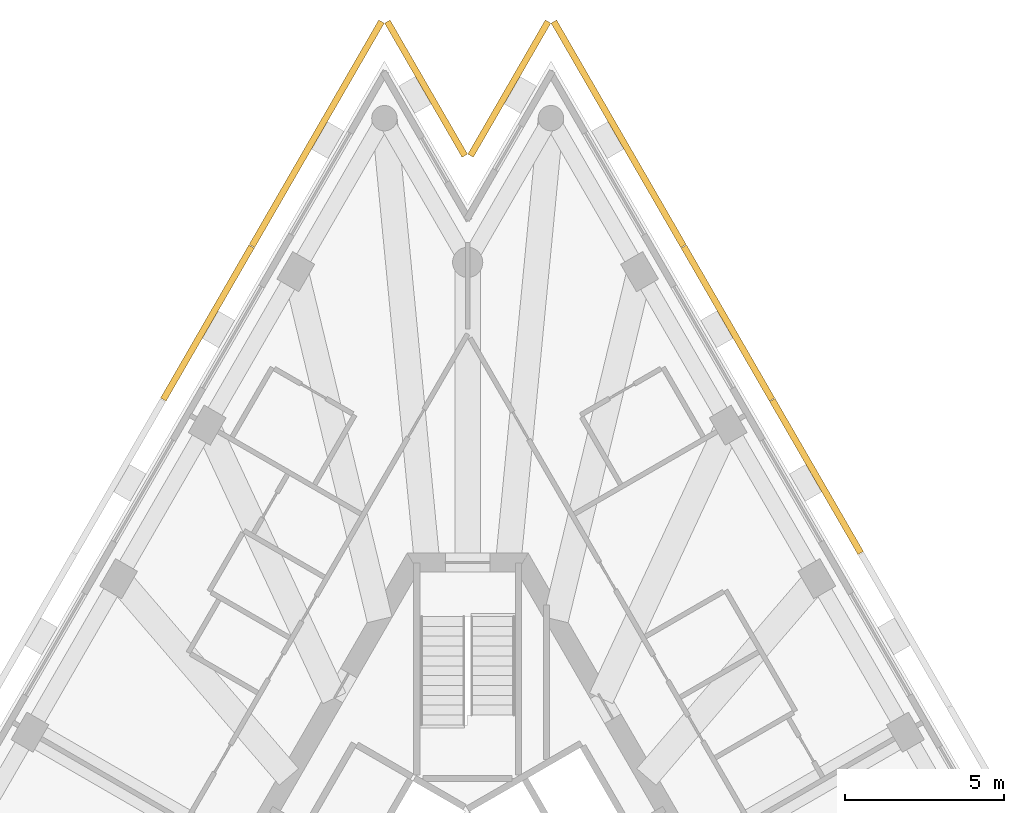
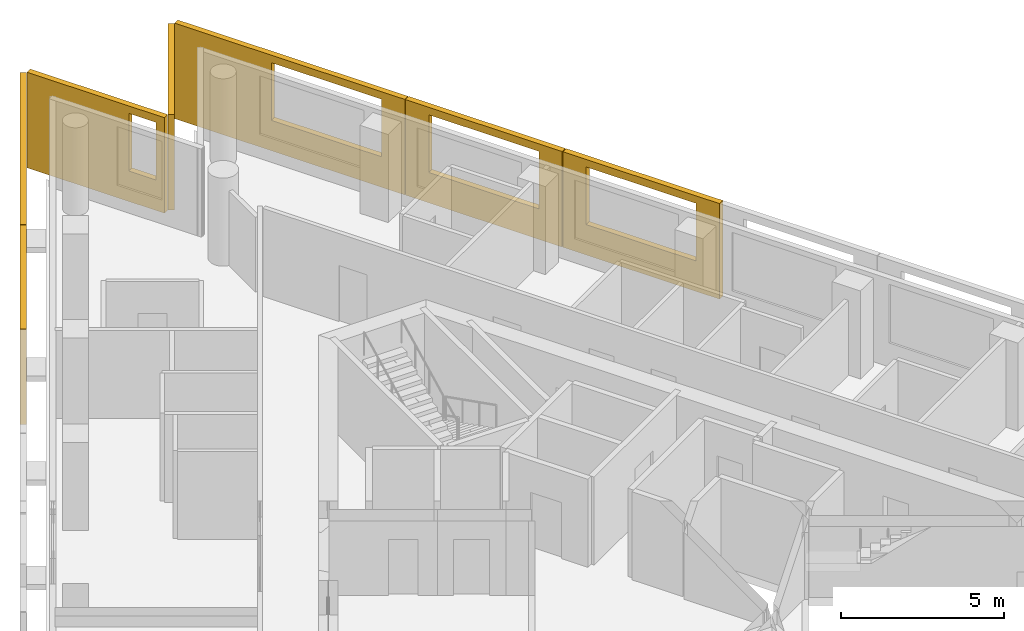
# One storey, part 10 of 10: 7 shading devices.
"""IFC4 building model written with IfcOpenShell, lengths in metres."""

import ifcopenshell
import ifcopenshell.guid

model = None  # the IFC model being written
_history = None  # IfcOwnerHistory: only IFC2X3 demands one
_inside = {}  # id of a spatial element -> (the spatial element, [elements in it])
_under = {}  # id of a project, library or spatial element -> (it, [spatial elements below it])
_declared = {}  # id of a project -> (the project, [libraries it declares])
_typed = {}  # id of a type object -> (the type object, [elements of that type])
_made_of = {}  # id of a material, layer set ... -> (it, [elements and type objects made of it])


def new_model(schema):
    """Start an empty IFC model of exactly this schema.

    Asked for "IFC4X3", IfcOpenShell would pick the latest addendum, in which some entities
    have other attributes; the version numbers below select the first issue.
    IFC2X3 requires an IfcOwnerHistory on every rooted entity: one is made here for all.
    """
    global model, _history
    if schema == "IFC4X3":
        model = ifcopenshell.file(schema_version=(4, 3, 0, 0))
    else:
        model = ifcopenshell.file(schema=schema)
    _inside.clear()
    _under.clear()
    _declared.clear()
    _typed.clear()
    _made_of.clear()
    _history = None
    if model.schema == "IFC2X3":
        org = make("IfcOrganization", Name="unknown")
        user = make(
            "IfcPersonAndOrganization",
            ThePerson=make("IfcPerson", FamilyName="unknown"),
            TheOrganization=org,
        )
        app = make(
            "IfcApplication",
            ApplicationDeveloper=org,
            Version="unknown",
            ApplicationFullName="unknown",
            ApplicationIdentifier="unknown",
        )
        _history = make(
            "IfcOwnerHistory",
            OwningUser=user,
            OwningApplication=app,
            ChangeAction="ADDED",
            CreationDate=0,
        )
    return model


def make(cls, **values):
    """One entity of the class cls with the attributes given. An attribute that is None is left unset."""
    return model.create_entity(
        cls, **{name: value for name, value in values.items() if value is not None}
    )


def rooted(cls, **values):
    """An entity with a GlobalId (a new one), such as an element, a storey or a relation."""
    return make(cls, GlobalId=ifcopenshell.guid.new(), OwnerHistory=_history, **values)


def si_unit(unit_type, name, prefix=None):
    """IfcSIUnit, for example si_unit("LENGTHUNIT", "METRE", prefix="MILLI")."""
    return make("IfcSIUnit", UnitType=unit_type, Prefix=prefix, Name=name)


def assignment(units):
    """IfcUnitAssignment: the units of a project."""
    return None if units is None else make("IfcUnitAssignment", Units=units)


def point(xyz):
    """IfcCartesianPoint."""
    return None if xyz is None else make("IfcCartesianPoint", Coordinates=xyz)


def direction(xyz):
    """IfcDirection."""
    return None if xyz is None else make("IfcDirection", DirectionRatios=xyz)


def frame(location, z_axis=None, x_axis=None):
    """IfcAxis2Placement3D, a coordinate frame: its origin and axes. An axis left out is left unset."""
    return make(
        "IfcAxis2Placement3D",
        Location=point(location),
        Axis=direction(z_axis),
        RefDirection=direction(x_axis),
    )


def origin():
    """The frame at (0, 0, 0) with its axes left unset."""
    return frame((0.0, 0.0, 0.0))


def place(relative_to, where):
    """IfcLocalPlacement: puts the frame where relative to a parent placement (None: the world)."""
    return make(
        "IfcLocalPlacement", PlacementRelTo=relative_to, RelativePlacement=where
    )


def context(
    kind, dimensions, precision=None, world=None, true_north=None, identifier=None
):
    """IfcGeometricRepresentationContext, for example the 3D "Model" context."""
    return make(
        "IfcGeometricRepresentationContext",
        ContextIdentifier=identifier,
        ContextType=kind,
        CoordinateSpaceDimension=dimensions,
        Precision=precision,
        WorldCoordinateSystem=world,
        TrueNorth=true_north,
    )


def subcontext(parent, identifier, kind, view, scale=None):
    """IfcGeometricRepresentationSubContext, for example "Body" below "Model"."""
    return make(
        "IfcGeometricRepresentationSubContext",
        ContextIdentifier=identifier,
        ContextType=kind,
        ParentContext=parent,
        TargetScale=scale,
        TargetView=view,
    )


def project(units=None, contexts=None):
    """IfcProject with its units and contexts."""
    return rooted(
        "IfcProject",
        Name="project",
        RepresentationContexts=contexts,
        UnitsInContext=assignment(units),
    )


def spatial(cls, under=None, at=None, **own):
    """A site, building, storey or space (cls), placed at a placement, below another one or the project."""
    s = rooted(cls, ObjectPlacement=at, **own)
    if under is not None:
        _under.setdefault(under.id(), (under, []))[1].append(s)
    return s


def polyline(points):
    """IfcPolyline through the points."""
    return make("IfcPolyline", Points=[point(p) for p in points])


def outline(outer, holes=None, kind="AREA"):
    """IfcArbitraryClosedProfileDef: a profile drawn as a closed curve; with holes, ...WithVoids."""
    if holes is None:
        return make("IfcArbitraryClosedProfileDef", ProfileType=kind, OuterCurve=outer)
    return make(
        "IfcArbitraryProfileDefWithVoids",
        ProfileType=kind,
        OuterCurve=outer,
        InnerCurves=holes,
    )


def extrude(swept, where, along, depth):
    """IfcExtrudedAreaSolid: the profile swept, set in the frame where, extruded along a direction by depth."""
    return make(
        "IfcExtrudedAreaSolid",
        SweptArea=swept,
        Position=where,
        ExtrudedDirection=direction(along),
        Depth=depth,
    )


def shape(context_of_items, identifier, shape_type, items):
    """IfcShapeRepresentation: the items that make up one representation, for example the "Body"."""
    return make(
        "IfcShapeRepresentation",
        ContextOfItems=context_of_items,
        RepresentationIdentifier=identifier,
        RepresentationType=shape_type,
        Items=items,
    )


def material(Name=None, Category=None):
    """IfcMaterial."""
    return make("IfcMaterial", Name=Name, Category=Category)


def layer(
    of_material, thickness, ventilated=None, Name=None, Category=None, Priority=None
):
    """IfcMaterialLayer: one layer of a wall or slab, of a material (None: an air gap)."""
    return make(
        "IfcMaterialLayer",
        Material=of_material,
        LayerThickness=thickness,
        IsVentilated=ventilated,
        Name=Name,
        Category=Category,
        Priority=Priority,
    )


def layer_set(layers, Name=None):
    """IfcMaterialLayerSet."""
    return make("IfcMaterialLayerSet", MaterialLayers=layers, LayerSetName=Name)


def made_of(thing, what):
    """Note that an element or type object is made of a material, layer set ...; save() writes the relation."""
    if what is not None:
        _made_of.setdefault(what.id(), (what, []))[1].append(thing)
    return thing


def type_object(cls, material=None, **own):
    """A type object (cls), such as IfcWallType, which elements share."""
    return made_of(rooted(cls, **own), material)


def element(
    cls,
    number,
    at=None,
    inside=None,
    cuts=None,
    type_object=None,
    material=None,
    context=None,
    identifier="Body",
    shape_type=None,
    held_by="IfcProductDefinitionShape",
    body=None,
    shapes=None,
    **own,
):
    """One element of the class cls, such as IfcWall. Its Tag is "e" and its number.

    at: its placement. inside: the storey or other place that contains it. cuts: it is an
    opening in that element (IfcRelVoidsElement). A single representation is given by context,
    identifier, shape_type and body (its items); several are given by shapes. held_by: the class
    of the entity that holds the representations. save() writes the other relations.
    """
    e = rooted(cls, Tag="e%d" % number, ObjectPlacement=at, **own)
    if body is not None:
        shapes = [shape(context, identifier, shape_type, body)]
    if shapes is not None:
        e.Representation = make(held_by, Representations=shapes)
    if inside is not None:
        _inside.setdefault(inside.id(), (inside, []))[1].append(e)
    if cuts is not None:
        rooted(
            "IfcRelVoidsElement", RelatingBuildingElement=cuts, RelatedOpeningElement=e
        )
    if type_object is not None:
        _typed.setdefault(type_object.id(), (type_object, []))[1].append(e)
    return made_of(e, material)


def aggregate(whole, parts):
    """IfcRelAggregates: a whole, such as a stair, and the parts it consists of."""
    return rooted("IfcRelAggregates", RelatingObject=whole, RelatedObjects=parts)


def save(model, path):
    """Write the relations noted so far, then the file.

    IfcRelAggregates (storeys below a building ...), IfcRelContainedInSpatialStructure (elements
    in a storey), IfcRelDefinesByType, IfcRelAssociatesMaterial and IfcRelDeclares: one each for
    every whole, place, type object, material and project.
    """
    for whole, parts in _under.values():
        aggregate(whole, parts)
    for where, things in _inside.values():
        rooted(
            "IfcRelContainedInSpatialStructure",
            RelatedElements=things,
            RelatingStructure=where,
        )
    for kind, things in _typed.values():
        rooted("IfcRelDefinesByType", RelatedObjects=things, RelatingType=kind)
    for what, things in _made_of.values():
        rooted("IfcRelAssociatesMaterial", RelatedObjects=things, RelatingMaterial=what)
    for by, libraries in _declared.values():
        rooted("IfcRelDeclares", RelatingContext=by, RelatedDefinitions=libraries)
    model.write(path)


model = new_model("IFC4")

# Units and contexts
model_context = context("Model", 3, precision=1e-05, world=origin(), true_north=direction((0.0, 1.0)))
body_context = subcontext(model_context, "Body", "Model", "MODEL_VIEW")
ifc_project = project(units=[si_unit("LENGTHUNIT", "METRE"), si_unit("AREAUNIT", "SQUARE_METRE"), si_unit("VOLUMEUNIT", "CUBIC_METRE"), si_unit("PLANEANGLEUNIT", "RADIAN"), si_unit("MASSUNIT", "GRAM", prefix="KILO")], contexts=[model_context])

# Site, building, storey
site_placement = place(None, origin())
site = spatial("IfcSite", under=ifc_project, at=site_placement, CompositionType="ELEMENT")
building_placement = place(site_placement, origin())
building = spatial("IfcBuilding", under=site, at=building_placement, Name="Triada Interchange Tower", CompositionType="ELEMENT")
storey_placement = place(building_placement, frame((0.0, 0.0, 275.5)))
storey = spatial("IfcBuildingStorey", under=building, at=storey_placement, Name="L64", CompositionType="ELEMENT", Elevation=275.5)

# Shading devices
ifc_material = material(Name="Concrete C50/60 precast", Category="concrete")
ifc_layer_1 = layer(ifc_material, 0.02001953125, Name="Exposed aggregate face")
ifc_layer_2 = layer(ifc_material, 0.179931640625, Name="Precast concrete screen")
ifc_layer_set = layer_set([ifc_layer_1, ifc_layer_2], Name="Outer skin screen panel 3580")
shading_device_type = type_object("IfcShadingDeviceType", Name="Outer skin screen panel 3580", PredefinedType="SHUTTER", material=ifc_layer_set)
shading_device_1_placement = place(storey_placement, frame((-2.626953125, 30.283935546875, -0.2900390625), z_axis=(0.0, 0.0, 1.0), x_axis=(-0.500052253887, -0.865995232887, 0.0)))
element("IfcShadingDevice", 1, at=shading_device_1_placement, inside=storey, type_object=shading_device_type, Name="Outer skin screen panel L64 01", PredefinedType="SHUTTER", context=body_context, shape_type="SweptSolid", body=[
    extrude(outline(polyline([(0.0, 0.0), (8.159423828125, 0.0), (8.159423828125, 3.580078125), (0.0, 3.580078125), (0.0, 0.0)]), holes=[polyline([(3.4287109375, 1.139892578125), (3.4287109375, 3.300048828125), (7.32861328125, 3.300048828125), (7.32861328125, 1.139892578125), (3.4287109375, 1.139892578125)])]), frame((0.0, 0.0, 0.0), z_axis=(0.0, -1.0, 0.0), x_axis=(1.0, 0.0, 0.0)), (0.0, 0.0, 1.0), 0.199951171875),
])
shading_device_2_placement = place(storey_placement, frame((-6.717041015625, 23.200927734375, -0.2900390625), z_axis=(0.0, 0.0, 1.0), x_axis=(-0.499864322938, -0.866103722803, 0.0)))
element("IfcShadingDevice", 2, at=shading_device_2_placement, inside=storey, type_object=shading_device_type, Name="Outer skin screen panel L64 02", PredefinedType="SHUTTER", context=body_context, shape_type="SweptSolid", body=[
    extrude(outline(polyline([(0.0, 0.0), (5.5615234375, 0.0), (5.5615234375, 3.580078125), (0.0, 3.580078125), (0.0, 0.0)]), holes=[polyline([(0.830078125, 1.139892578125), (0.830078125, 3.300048828125), (4.730224609375, 3.300048828125), (4.730224609375, 1.139892578125), (0.830078125, 1.139892578125)])]), frame((0.0, 0.0, 0.0), z_axis=(0.0, -1.0, 0.0), x_axis=(1.0, 0.0, 0.0)), (0.0, 0.0, 1.0), 0.199951171875),
])
shading_device_3_placement = place(storey_placement, frame((12.2880859375, 13.551025390625, -0.2900390625), z_axis=(0.0, 0.0, 1.0), x_axis=(-0.500072058625, 0.86598379672, 0.0)))
element("IfcShadingDevice", 3, at=shading_device_3_placement, inside=storey, type_object=shading_device_type, Name="Outer skin screen panel L64 26", PredefinedType="SHUTTER", context=body_context, shape_type="SweptSolid", body=[
    extrude(outline(polyline([(0.0, 0.0), (5.561279296875, 0.0), (5.561279296875, 3.580078125), (0.0, 3.580078125), (0.0, 0.0)]), holes=[polyline([(0.83056640625, 1.139892578125), (0.83056640625, 3.300048828125), (4.73046875, 3.300048828125), (4.73046875, 1.139892578125), (0.83056640625, 1.139892578125)])]), frame((0.0, 0.0, 0.0), z_axis=(0.0, -1.0, 0.0), x_axis=(1.0, 0.0, 0.0)), (0.0, 0.0, 1.0), 0.199951171875),
])
shading_device_4_placement = place(storey_placement, frame((9.4970703125, 18.384033203125, -0.2900390625), z_axis=(0.0, 0.0, 1.0), x_axis=(-0.499864322938, 0.866103722803, 0.0)))
element("IfcShadingDevice", 4, at=shading_device_4_placement, inside=storey, type_object=shading_device_type, Name="Outer skin screen panel L64 27", PredefinedType="SHUTTER", context=body_context, shape_type="SweptSolid", body=[
    extrude(outline(polyline([(0.0, 0.0), (5.5615234375, 0.0), (5.5615234375, 3.580078125), (0.0, 3.580078125), (0.0, 0.0)]), holes=[polyline([(0.8310546875, 1.139892578125), (0.8310546875, 3.300048828125), (4.731201171875, 3.300048828125), (4.731201171875, 1.139892578125), (0.8310546875, 1.139892578125)])]), frame((0.0, 0.0, 0.0), z_axis=(0.0, -1.0, 0.0), x_axis=(1.0, 0.0, 0.0)), (0.0, 0.0, 1.0), 0.199951171875),
])
shading_device_5_placement = place(storey_placement, frame((6.70703125, 23.218017578125, -0.2900390625), z_axis=(0.0, 0.0, 1.0), x_axis=(-0.500052253887, 0.865995232887, 0.0)))
element("IfcShadingDevice", 5, at=shading_device_5_placement, inside=storey, type_object=shading_device_type, Name="Outer skin screen panel L64 28", PredefinedType="SHUTTER", context=body_context, shape_type="SweptSolid", body=[
    extrude(outline(polyline([(0.0, 0.0), (8.159423828125, 0.0), (8.159423828125, 3.580078125), (0.0, 3.580078125), (0.0, 0.0)]), holes=[polyline([(0.830810546875, 1.139892578125), (0.830810546875, 3.300048828125), (4.730712890625, 3.300048828125), (4.730712890625, 1.139892578125), (0.830810546875, 1.139892578125)])]), frame((0.0, 0.0, 0.0), z_axis=(0.0, -1.0, 0.0), x_axis=(1.0, 0.0, 0.0)), (0.0, 0.0, 1.0), 0.199951171875),
])
shading_device_6_placement = place(storey_placement, frame((2.616943359375, 30.283935546875, -0.2900390625), z_axis=(0.0, 0.0, 1.0), x_axis=(-0.500220869364, -0.865897847239, 0.0)))
element("IfcShadingDevice", 6, at=shading_device_6_placement, inside=storey, type_object=shading_device_type, Name="Outer skin screen panel L64 29", PredefinedType="SHUTTER", context=body_context, shape_type="SweptSolid", body=[
    extrude(outline(polyline([(0.0, 0.0), (4.875732421875, 0.0), (4.875732421875, 3.580078125), (0.0, 3.580078125), (0.0, 0.0)]), holes=[polyline([(3.175537109375, 1.139892578125), (3.175537109375, 3.300048828125), (4.576416015625, 3.300048828125), (4.576416015625, 1.139892578125), (3.175537109375, 1.139892578125)])]), frame((0.0, 0.0, 0.0), z_axis=(0.0, -1.0, 0.0), x_axis=(1.0, 0.0, 0.0)), (0.0, 0.0, 1.0), 0.199951171875),
])
shading_device_7_placement = place(storey_placement, frame((-0.177978515625, 26.06201171875, -0.2900390625), z_axis=(0.0, 0.0, 1.0), x_axis=(-0.500220869364, 0.865897847239, 0.0)))
element("IfcShadingDevice", 7, at=shading_device_7_placement, inside=storey, type_object=shading_device_type, Name="Outer skin screen panel L64 30", PredefinedType="SHUTTER", context=body_context, shape_type="SweptSolid", body=[
    extrude(outline(polyline([(0.0, 0.0), (4.875732421875, 0.0), (4.875732421875, 3.580078125), (0.0, 3.580078125), (0.0, 0.0)]), holes=[polyline([(0.300048828125, 1.139892578125), (0.300048828125, 3.300048828125), (1.258056640625, 3.300048828125), (1.258056640625, 1.139892578125), (0.300048828125, 1.139892578125)])]), frame((0.0, 0.0, 0.0), z_axis=(0.0, -1.0, 0.0), x_axis=(1.0, 0.0, 0.0)), (0.0, 0.0, 1.0), 0.199951171875),
])

save(model, "model.ifc")
